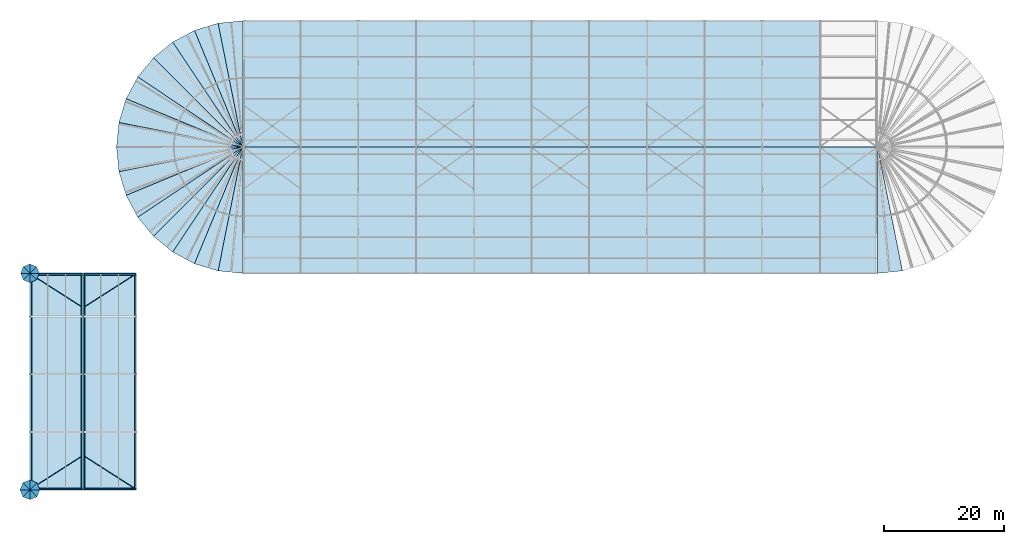
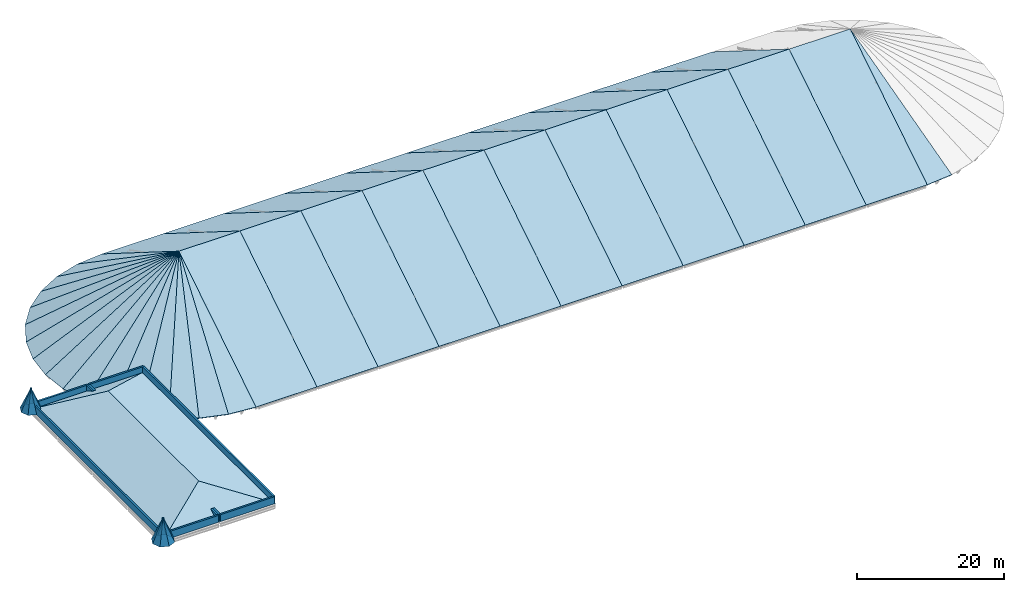
# One storey, part 64 of 66: 58 roofs, 8 walls.
"""IFC4 building model written with IfcOpenShell, lengths in metres."""

from ifc_helpers import new_model, si_unit, direction, frame, frame_2d, origin, place, context, subcontext, project, spatial, polyline, rectangle, outline, extrude, material, layer, layer_set, type_object, element, save


model = new_model("IFC4")

# Units and contexts
model_context = context("Model", 3, precision=1e-05, world=origin(), true_north=direction((0.0, 1.0)))
body_context = subcontext(model_context, "Body", "Model", "MODEL_VIEW")
ifc_project = project(units=[si_unit("LENGTHUNIT", "METRE"), si_unit("AREAUNIT", "SQUARE_METRE"), si_unit("VOLUMEUNIT", "CUBIC_METRE"), si_unit("PLANEANGLEUNIT", "RADIAN"), si_unit("MASSUNIT", "GRAM", prefix="KILO")], contexts=[model_context])

# Site, building, storey
site_placement = place(None, origin())
site = spatial("IfcSite", under=ifc_project, at=site_placement, CompositionType="ELEMENT")
building_placement = place(site_placement, origin())
building = spatial("IfcBuilding", under=site, at=building_placement, Name="Yeouljin Market Hall", CompositionType="ELEMENT")
storey_placement = place(building_placement, frame((0.0, 0.0, 23.39990234375)))
storey = spatial("IfcBuildingStorey", under=building, at=storey_placement, Name="RF", CompositionType="ELEMENT", Elevation=23.39990234375)

# Walls
ifc_material_1 = material(Name="Clinker Brick Masonry F2-S2", Category="masonry")
ifc_layer_1 = layer(ifc_material_1, 0.280029296875)
ifc_layer_set_1 = layer_set([ifc_layer_1], Name="Clinker Brick Masonry F2-S2")
wall_type = type_object("IfcWallType", Name="Wall_Parapet_Clinker_280", PredefinedType="PARAPET", material=ifc_layer_set_1)
wall_1_placement = place(storey_placement, frame((0.139892578125, 0.139892578125, 0.010009765625), z_axis=(0.0, 0.0, 1.0), x_axis=(1.0, 0.0, 0.0)))
element("IfcWall", 1, at=wall_1_placement, inside=storey, type_object=wall_type, Name="Roof parapet RSLB-V2-TOP1-1", PredefinedType="PARAPET", context=body_context, shape_type="SweptSolid", body=[
    extrude(rectangle(XDim=8.570068359375, YDim=0.280029296875, at=frame_2d((4.28515625, 0.0))), origin(), (0.0, 0.0, 1.0), 1.150146484375),
])
wall_2_placement = place(storey_placement, frame((8.7099609375, 0.139892578125, 0.010009765625), z_axis=(0.0, 0.0, 1.0), x_axis=(0.0, 1.0, 0.0)))
element("IfcWall", 2, at=wall_2_placement, inside=storey, type_object=wall_type, Name="Roof parapet RSLB-V2-TOP1-2", PredefinedType="PARAPET", context=body_context, shape_type="SweptSolid", body=[
    extrude(rectangle(XDim=35.72021484375, YDim=0.280029296875, at=frame_2d((17.860107421875, 0.0))), origin(), (0.0, 0.0, 1.0), 1.150146484375),
])
wall_3_placement = place(storey_placement, frame((8.7099609375, 35.860107421875, 0.010009765625), z_axis=(0.0, 0.0, 1.0), x_axis=(-1.0, 0.0, 0.0)))
element("IfcWall", 3, at=wall_3_placement, inside=storey, type_object=wall_type, Name="Roof parapet RSLB-V2-TOP1-3", PredefinedType="PARAPET", context=body_context, shape_type="SweptSolid", body=[
    extrude(rectangle(XDim=8.570068359375, YDim=0.280029296875, at=frame_2d((4.28515625, 0.0))), origin(), (0.0, 0.0, 1.0), 1.150146484375),
])
wall_4_placement = place(storey_placement, frame((0.139892578125, 35.860107421875, 0.010009765625), z_axis=(0.0, 0.0, 1.0), x_axis=(0.0, -1.0, 0.0)))
element("IfcWall", 4, at=wall_4_placement, inside=storey, type_object=wall_type, Name="Roof parapet RSLB-V2-TOP1-4", PredefinedType="PARAPET", context=body_context, shape_type="SweptSolid", body=[
    extrude(rectangle(XDim=35.72021484375, YDim=0.280029296875, at=frame_2d((17.860107421875, 0.0))), origin(), (0.0, 0.0, 1.0), 1.150146484375),
])
wall_5_placement = place(storey_placement, frame((8.989990234375, 0.139892578125, 0.010009765625), z_axis=(0.0, 0.0, 1.0), x_axis=(1.0, 0.0, 0.0)))
element("IfcWall", 5, at=wall_5_placement, inside=storey, type_object=wall_type, Name="Roof parapet RSLB-V2-TOP2-1", PredefinedType="PARAPET", context=body_context, shape_type="SweptSolid", body=[
    extrude(rectangle(XDim=8.570068359375, YDim=0.280029296875, at=frame_2d((4.28515625, 0.0))), origin(), (0.0, 0.0, 1.0), 1.150146484375),
])
wall_6_placement = place(storey_placement, frame((17.56005859375, 0.139892578125, 0.010009765625), z_axis=(0.0, 0.0, 1.0), x_axis=(0.0, 1.0, 0.0)))
element("IfcWall", 6, at=wall_6_placement, inside=storey, type_object=wall_type, Name="Roof parapet RSLB-V2-TOP2-2", PredefinedType="PARAPET", context=body_context, shape_type="SweptSolid", body=[
    extrude(rectangle(XDim=35.72021484375, YDim=0.280029296875, at=frame_2d((17.860107421875, 0.0))), origin(), (0.0, 0.0, 1.0), 1.150146484375),
])
wall_7_placement = place(storey_placement, frame((17.56005859375, 35.860107421875, 0.010009765625), z_axis=(0.0, 0.0, 1.0), x_axis=(-1.0, 0.0, 0.0)))
element("IfcWall", 7, at=wall_7_placement, inside=storey, type_object=wall_type, Name="Roof parapet RSLB-V2-TOP2-3", PredefinedType="PARAPET", context=body_context, shape_type="SweptSolid", body=[
    extrude(rectangle(XDim=8.570068359375, YDim=0.280029296875, at=frame_2d((4.28515625, 0.0))), origin(), (0.0, 0.0, 1.0), 1.150146484375),
])
wall_8_placement = place(storey_placement, frame((8.989990234375, 35.860107421875, 0.010009765625), z_axis=(0.0, 0.0, 1.0), x_axis=(0.0, -1.0, 0.0)))
element("IfcWall", 8, at=wall_8_placement, inside=storey, type_object=wall_type, Name="Roof parapet RSLB-V2-TOP2-4", PredefinedType="PARAPET", context=body_context, shape_type="SweptSolid", body=[
    extrude(rectangle(XDim=35.72021484375, YDim=0.280029296875, at=frame_2d((17.860107421875, 0.0))), origin(), (0.0, 0.0, 1.0), 1.150146484375),
])

# Roofs
ifc_material_2 = material(Name="Standing Seam Patinated Copper")
ifc_layer_2 = layer(ifc_material_2, 0.219970703125)
ifc_layer_set_2 = layer_set([ifc_layer_2], Name="Standing Seam Patinated Copper")
roof_type_1 = type_object("IfcRoofType", Name="Roof_Amsterdam_Hipped", PredefinedType="HIP_ROOF", material=ifc_layer_set_2)
roof_1_placement = place(storey_placement, frame((0.0, 36.0, 0.050048828125), z_axis=(-0.354022625298, 0.0, 0.935236858115), x_axis=(0.0, -1.0, 0.0)))
element("IfcRoof", 9, at=roof_1_placement, inside=storey, type_object=roof_type_1, Name="West culinary conservatory hipped roof RF-V2-TOP-W", PredefinedType="HIP_ROOF", context=body_context, shape_type="SweptSolid", body=[
    extrude(outline(polyline([(0.0, 0.0), (36.0, 0.0), (30.3359375, 9.462947893313874), (5.6640625, 9.462947893313874), (0.0, 0.0)])), origin(), (0.0, 0.0, -1.0), 0.219970703125),
])
roof_2_placement = place(storey_placement, frame((17.699951171875, 0.0, 0.050048828125), z_axis=(0.354031167621, 0.0, 0.935233624477), x_axis=(0.0, 1.0, 0.0)))
element("IfcRoof", 10, at=roof_2_placement, inside=storey, type_object=roof_type_1, Name="West culinary conservatory hipped roof RF-V2-TOP-E", PredefinedType="HIP_ROOF", context=body_context, shape_type="SweptSolid", body=[
    extrude(outline(polyline([(0.0, 0.0), (36.0, 0.0), (30.3359375, 9.462719564397537), (5.6640625, 9.462719564397537), (0.0, 0.0)])), origin(), (0.0, 0.0, -1.0), 0.219970703125),
])
roof_3_placement = place(storey_placement, frame((0.0, 0.0, 0.050048828125), z_axis=(0.0, -0.509084245774, 0.86071669596), x_axis=(1.0, 0.0, 0.0)))
element("IfcRoof", 11, at=roof_3_placement, inside=storey, type_object=roof_type_1, Name="West culinary conservatory hipped roof RF-V2-TOP-S", PredefinedType="HIP_ROOF", context=body_context, shape_type="SweptSolid", body=[
    extrude(outline(polyline([(0.0, 0.0), (17.699951171875, 0.0), (8.85009765625, 6.580635099313591), (0.0, 0.0)])), origin(), (0.0, 0.0, -1.0), 0.219970703125),
])
roof_4_placement = place(storey_placement, frame((17.699951171875, 36.0, 0.050048828125), z_axis=(0.0, 0.509084245774, 0.86071669596), x_axis=(-1.0, 0.0, 0.0)))
element("IfcRoof", 12, at=roof_4_placement, inside=storey, type_object=roof_type_1, Name="West culinary conservatory hipped roof RF-V2-TOP-N", PredefinedType="HIP_ROOF", context=body_context, shape_type="SweptSolid", body=[
    extrude(outline(polyline([(0.0, 0.0), (17.699951171875, 0.0), (8.849853515625, 6.580635099313591), (0.0, 0.0)])), origin(), (0.0, 0.0, -1.0), 0.219970703125),
])
ifc_material_3 = material(Name="Patinated Copper Conical Roof Assembly")
ifc_layer_3 = layer(ifc_material_3, 0.219970703125)
ifc_layer_set_3 = layer_set([ifc_layer_3], Name="Patinated Copper Conical Roof Assembly")
roof_type_2 = type_object("IfcRoofType", Name="Roof_Copper_ApseCone", PredefinedType="PAVILION_ROOF", material=ifc_layer_set_3)
roof_5_placement = place(storey_placement, frame((35.39990234375, 57.0, 1.2001953125), z_axis=(-0.052349840343, -0.53144747175, 0.845472104203), x_axis=(-0.165171272296, -0.83036434329, -0.532178079407)))
element("IfcRoof", 13, at=roof_5_placement, inside=storey, type_object=roof_type_2, Name="Apse conical copper roof west 01", PredefinedType="PAVILION_ROOF", context=body_context, shape_type="SweptSolid", body=[
    extrude(outline(polyline([(0.0, 0.0), (24.80409438738253, 2.220446049250313e-16), (24.46250579828373, 4.102556076043566), (0.0, 0.0)])), origin(), (0.0, 0.0, -1.0), 0.219970703125),
])
roof_6_placement = place(storey_placement, frame((35.39990234375, 57.0, 1.2001953125), z_axis=(-0.154994045514, -0.511030633104, 0.845472966974), x_axis=(-0.323991878396, -0.782188856344, -0.532174647785)))
element("IfcRoof", 14, at=roof_6_placement, inside=storey, type_object=roof_type_2, Name="Apse conical copper roof west 02", PredefinedType="PAVILION_ROOF", context=body_context, shape_type="SweptSolid", body=[
    extrude(outline(polyline([(0.0, 0.0), (24.804254331636216, -1.1102230246251565e-15), (24.462481703009527, 4.102448940341051), (0.0, 0.0)])), origin(), (0.0, 0.0, -1.0), 0.219970703125),
])
roof_7_placement = place(storey_placement, frame((35.39990234375, 57.0, 1.2001953125), z_axis=(-0.251740974705, -0.470957357509, 0.845473624108), x_axis=(-0.470363627109, -0.703950920961, -0.532175872406)))
element("IfcRoof", 15, at=roof_7_placement, inside=storey, type_object=roof_type_2, Name="Apse conical copper roof west 03", PredefinedType="PAVILION_ROOF", context=body_context, shape_type="SweptSolid", body=[
    extrude(outline(polyline([(0.0, 0.0), (24.80419725309084, 1.3322676295501878e-15), (24.46262703140429, 4.102549411146949), (0.0, 0.0)])), origin(), (0.0, 0.0, -1.0), 0.219970703125),
])
roof_8_placement = place(storey_placement, frame((35.39990234375, 57.0, 1.2001953125), z_axis=(-0.33880280716, -0.412783304218, 0.845471821895), x_axis=(-0.598658551349, -0.598658551349, -0.532180305717)))
element("IfcRoof", 16, at=roof_8_placement, inside=storey, type_object=roof_type_2, Name="Apse conical copper roof west 04", PredefinedType="PAVILION_ROOF", context=body_context, shape_type="SweptSolid", body=[
    extrude(outline(polyline([(0.0, 0.0), (24.803990622515755, -9.992007221626409e-16), (24.462568167449515, 4.10255530409098), (0.0, 0.0)])), origin(), (0.0, 0.0, -1.0), 0.219970703125),
])
roof_9_placement = place(storey_placement, frame((35.39990234375, 57.0, 1.2001953125), z_axis=(-0.412800167152, -0.338784976832, 0.845470733658), x_axis=(-0.703945955721, -0.47036688617, -0.532179559752)))
element("IfcRoof", 17, at=roof_9_placement, inside=storey, type_object=roof_type_2, Name="Apse conical copper roof west 05", PredefinedType="PAVILION_ROOF", context=body_context, shape_type="SweptSolid", body=[
    extrude(outline(polyline([(0.0, 0.0), (24.804025390679136, 1.887379141862766e-15), (24.462387721243672, 4.102381963859074), (0.0, 0.0)])), origin(), (0.0, 0.0, -1.0), 0.219970703125),
])
roof_10_placement = place(storey_placement, frame((35.39990234375, 57.0, 1.2001953125), z_axis=(-0.47096082588, -0.251742828654, 0.84547114008), x_axis=(-0.782185035558, -0.323994372772, -0.532178744936)))
element("IfcRoof", 18, at=roof_10_placement, inside=storey, type_object=roof_type_2, Name="Apse conical copper roof west 06", PredefinedType="PAVILION_ROOF", context=body_context, shape_type="SweptSolid", body=[
    extrude(outline(polyline([(0.0, 0.0), (24.804063368026362, 6.661338147750939e-16), (24.462396246406566, 4.102541342296165), (0.0, 0.0)])), origin(), (0.0, 0.0, -1.0), 0.219970703125),
])
roof_11_placement = place(storey_placement, frame((35.39990234375, 57.0, 1.2001953125), z_axis=(-0.511023877532, -0.155023666368, 0.845471619546), x_axis=(-0.83036434329, -0.165171272296, -0.532178079407)))
element("IfcRoof", 19, at=roof_11_placement, inside=storey, type_object=roof_type_2, Name="Apse conical copper roof west 07", PredefinedType="PAVILION_ROOF", context=body_context, shape_type="SweptSolid", body=[
    extrude(outline(polyline([(0.0, 0.0), (24.80409438738253, 0.0), (24.462436718772235, 4.102529627575076), (0.0, 0.0)])), origin(), (0.0, 0.0, -1.0), 0.219970703125),
])
roof_12_placement = place(storey_placement, frame((35.39990234375, 57.0, 1.2001953125), z_axis=(-0.53144747175, -0.052349840343, 0.845472104203), x_axis=(-0.846633001429, 0.0, -0.532177189375)))
element("IfcRoof", 20, at=roof_12_placement, inside=storey, type_object=roof_type_2, Name="Apse conical copper roof west 08", PredefinedType="PAVILION_ROOF", context=body_context, shape_type="SweptSolid", body=[
    extrude(outline(polyline([(0.0, 0.0), (24.80413587061938, -2.220446049250313e-16), (24.462464886400028, 4.102549214796461), (0.0, 0.0)])), origin(), (0.0, 0.0, -1.0), 0.219970703125),
])
roof_13_placement = place(storey_placement, frame((35.39990234375, 57.0, 1.2001953125), z_axis=(-0.53144747175, 0.052349840343, 0.845472104203), x_axis=(-0.83036434329, 0.165171272296, -0.532178079407)))
element("IfcRoof", 21, at=roof_13_placement, inside=storey, type_object=roof_type_2, Name="Apse conical copper roof west 09", PredefinedType="PAVILION_ROOF", context=body_context, shape_type="SweptSolid", body=[
    extrude(outline(polyline([(0.0, 0.0), (24.80409438738253, 2.220446049250313e-16), (24.46250579828373, 4.102556076043566), (0.0, 0.0)])), origin(), (0.0, 0.0, -1.0), 0.219970703125),
])
roof_14_placement = place(storey_placement, frame((35.39990234375, 57.0, 1.2001953125), z_axis=(-0.511023877532, 0.155023666368, 0.845471619546), x_axis=(-0.782185035558, 0.323994372772, -0.532178744936)))
element("IfcRoof", 22, at=roof_14_placement, inside=storey, type_object=roof_type_2, Name="Apse conical copper roof west 10", PredefinedType="PAVILION_ROOF", context=body_context, shape_type="SweptSolid", body=[
    extrude(outline(polyline([(0.0, 0.0), (24.804063368026362, -5.551115123125783e-16), (24.46246731089845, 4.102534758098483), (0.0, 0.0)])), origin(), (0.0, 0.0, -1.0), 0.219970703125),
])
roof_15_placement = place(storey_placement, frame((35.39990234375, 57.0, 1.2001953125), z_axis=(-0.47096082588, 0.251742828654, 0.84547114008), x_axis=(-0.703945955721, 0.47036688617, -0.532179559752)))
element("IfcRoof", 23, at=roof_15_placement, inside=storey, type_object=roof_type_2, Name="Apse conical copper roof west 11", PredefinedType="PAVILION_ROOF", context=body_context, shape_type="SweptSolid", body=[
    extrude(outline(polyline([(0.0, 0.0), (24.804025390679136, -2.9976021664879227e-15), (24.46243370068673, 4.1025476236813265), (0.0, 0.0)])), origin(), (0.0, 0.0, -1.0), 0.219970703125),
])
roof_16_placement = place(storey_placement, frame((35.39990234375, 57.0, 1.2001953125), z_axis=(-0.412800167152, 0.338784976832, 0.845470733658), x_axis=(-0.598658551349, 0.598658551349, -0.532180305717)))
element("IfcRoof", 24, at=roof_16_placement, inside=storey, type_object=roof_type_2, Name="Apse conical copper roof west 12", PredefinedType="PAVILION_ROOF", context=body_context, shape_type="SweptSolid", body=[
    extrude(outline(polyline([(0.0, 0.0), (24.803990622515755, 9.992007221626409e-16), (24.462422010576628, 4.102387714235637), (0.0, 0.0)])), origin(), (0.0, 0.0, -1.0), 0.219970703125),
])
roof_17_placement = place(storey_placement, frame((35.39990234375, 57.0, 1.2001953125), z_axis=(-0.33880280716, 0.412783304218, 0.845471821895), x_axis=(-0.470363627109, 0.703950920961, -0.532175872406)))
element("IfcRoof", 25, at=roof_17_placement, inside=storey, type_object=roof_type_2, Name="Apse conical copper roof west 13", PredefinedType="PAVILION_ROOF", context=body_context, shape_type="SweptSolid", body=[
    extrude(outline(polyline([(0.0, 0.0), (24.80419725309084, -2.220446049250313e-15), (24.46236438280464, 4.102521127884703), (0.0, 0.0)])), origin(), (0.0, 0.0, -1.0), 0.219970703125),
])
roof_18_placement = place(storey_placement, frame((35.39990234375, 57.0, 1.2001953125), z_axis=(-0.251740974705, 0.470957357509, 0.845473624108), x_axis=(-0.323991878396, 0.782188856344, -0.532174647785)))
element("IfcRoof", 26, at=roof_18_placement, inside=storey, type_object=roof_type_2, Name="Apse conical copper roof west 14", PredefinedType="PAVILION_ROOF", context=body_context, shape_type="SweptSolid", body=[
    extrude(outline(polyline([(0.0, 0.0), (24.804254331636216, 0.0), (24.46257073899782, 4.102539970526417), (0.0, 0.0)])), origin(), (0.0, 0.0, -1.0), 0.219970703125),
])
roof_19_placement = place(storey_placement, frame((35.39990234375, 57.0, 1.2001953125), z_axis=(-0.154994045514, 0.511030633104, 0.845472966974), x_axis=(-0.165171272296, 0.83036434329, -0.532178079407)))
element("IfcRoof", 27, at=roof_19_placement, inside=storey, type_object=roof_type_2, Name="Apse conical copper roof west 15", PredefinedType="PAVILION_ROOF", context=body_context, shape_type="SweptSolid", body=[
    extrude(outline(polyline([(0.0, 0.0), (24.80409438738253, 0.0), (24.462639444441983, 4.102475394164513), (0.0, 0.0)])), origin(), (0.0, 0.0, -1.0), 0.219970703125),
])
for number, where, z_axis, x_axis, name in (
    (28, (35.39990234375, 57.0, 1.2001953125), (-0.052349840343, 0.53144747175, 0.845472104203), (0.0, 0.846633001429, -0.532177189375), "Apse conical copper roof west 16"),
    (29, (141.0, 57.0, 1.2001953125), (0.052349840343, -0.53144747175, 0.845472104203), (0.0, -0.846633001429, -0.532177189375), "Apse conical copper roof east 01"),
):
    element("IfcRoof", number, at=place(storey_placement, frame(where, z_axis=z_axis, x_axis=x_axis)), inside=storey, type_object=roof_type_2, Name=name, PredefinedType="PAVILION_ROOF", context=body_context, shape_type="SweptSolid", body=[
        extrude(outline(polyline([(0.0, 0.0), (24.80413587061938, -2.220446049250313e-16), (24.462464886400028, 4.102549214796461), (0.0, 0.0)])), origin(), (0.0, 0.0, -1.0), 0.219970703125),
    ])
ifc_material_4 = material(Name="Patinated Copper Insulated Roof Assembly")
ifc_layer_4 = layer(ifc_material_4, 0.219970703125)
ifc_layer_set_4 = layer_set([ifc_layer_4], Name="Patinated Copper Insulated Roof Assembly")
roof_type_3 = type_object("IfcRoofType", Name="Roof_Copper_Gable", PredefinedType="GABLE_ROOF", material=ifc_layer_set_4)
for number, where, z_axis, x_axis, name in (
    (30, (35.39990234375, 36.0, -12.0), (0.0, -0.532177189375, 0.846633001429), (1.0, 0.0, 0.0), "Nave pitched copper roof bay S01"),
    (31, (45.0, 78.0, -12.0), (0.0, 0.532177189375, 0.846633001429), (-1.0, 0.0, 0.0), "Nave pitched copper roof bay N01"),
    (32, (45.0, 36.0, -12.0), (0.0, -0.532177189375, 0.846633001429), (1.0, 0.0, 0.0), "Nave pitched copper roof bay S02"),
    (33, (54.60009765625, 78.0, -12.0), (0.0, 0.532177189375, 0.846633001429), (-1.0, 0.0, 0.0), "Nave pitched copper roof bay N02"),
):
    element("IfcRoof", number, at=place(storey_placement, frame(where, z_axis=z_axis, x_axis=x_axis)), inside=storey, type_object=roof_type_3, Name=name, PredefinedType="GABLE_ROOF", context=body_context, shape_type="SweptSolid", body=[
        extrude(outline(polyline([(0.0, 0.0), (9.60009765625, 0.0), (9.60009765625, 24.80413587061938), (0.0, 24.80413587061938), (0.0, 0.0)])), origin(), (0.0, 0.0, -1.0), 0.219970703125),
    ])
for number, where, z_axis, x_axis, name in (
    (34, (54.60009765625, 36.0, -12.0), (0.0, -0.532177189375, 0.846633001429), (1.0, 0.0, 0.0), "Nave pitched copper roof bay S03"),
    (35, (64.199951171875, 78.0, -12.0), (0.0, 0.532177189375, 0.846633001429), (-1.0, 0.0, 0.0), "Nave pitched copper roof bay N03"),
):
    element("IfcRoof", number, at=place(storey_placement, frame(where, z_axis=z_axis, x_axis=x_axis)), inside=storey, type_object=roof_type_3, Name=name, PredefinedType="GABLE_ROOF", context=body_context, shape_type="SweptSolid", body=[
        extrude(outline(polyline([(0.0, 0.0), (9.599853515625, 0.0), (9.599853515625, 24.80413587061938), (0.0, 24.80413587061938), (0.0, 0.0)])), origin(), (0.0, 0.0, -1.0), 0.219970703125),
    ])
for number, where, z_axis, x_axis, name in (
    (36, (64.199951171875, 36.0, -12.0), (0.0, -0.532177189375, 0.846633001429), (1.0, 0.0, 0.0), "Nave pitched copper roof bay S04"),
    (37, (73.800048828125, 78.0, -12.0), (0.0, 0.532177189375, 0.846633001429), (-1.0, 0.0, 0.0), "Nave pitched copper roof bay N04"),
):
    element("IfcRoof", number, at=place(storey_placement, frame(where, z_axis=z_axis, x_axis=x_axis)), inside=storey, type_object=roof_type_3, Name=name, PredefinedType="GABLE_ROOF", context=body_context, shape_type="SweptSolid", body=[
        extrude(outline(polyline([(0.0, 0.0), (9.60009765625, 0.0), (9.60009765625, 24.80413587061938), (0.0, 24.80413587061938), (0.0, 0.0)])), origin(), (0.0, 0.0, -1.0), 0.219970703125),
    ])
for number, where, z_axis, x_axis, name in (
    (38, (73.800048828125, 36.0, -12.0), (0.0, -0.532177189375, 0.846633001429), (1.0, 0.0, 0.0), "Nave pitched copper roof bay S05"),
    (39, (83.39990234375, 78.0, -12.0), (0.0, 0.532177189375, 0.846633001429), (-1.0, 0.0, 0.0), "Nave pitched copper roof bay N05"),
):
    element("IfcRoof", number, at=place(storey_placement, frame(where, z_axis=z_axis, x_axis=x_axis)), inside=storey, type_object=roof_type_3, Name=name, PredefinedType="GABLE_ROOF", context=body_context, shape_type="SweptSolid", body=[
        extrude(outline(polyline([(0.0, 0.0), (9.599853515625, 0.0), (9.599853515625, 24.80413587061938), (0.0, 24.80413587061938), (0.0, 0.0)])), origin(), (0.0, 0.0, -1.0), 0.219970703125),
    ])
for number, where, z_axis, x_axis, name in (
    (40, (83.39990234375, 36.0, -12.0), (0.0, -0.532177189375, 0.846633001429), (1.0, 0.0, 0.0), "Nave pitched copper roof bay S06"),
    (41, (93.0, 78.0, -12.0), (0.0, 0.532177189375, 0.846633001429), (-1.0, 0.0, 0.0), "Nave pitched copper roof bay N06"),
    (42, (93.0, 36.0, -12.0), (0.0, -0.532177189375, 0.846633001429), (1.0, 0.0, 0.0), "Nave pitched copper roof bay S07"),
    (43, (102.60009765625, 78.0, -12.0), (0.0, 0.532177189375, 0.846633001429), (-1.0, 0.0, 0.0), "Nave pitched copper roof bay N07"),
):
    element("IfcRoof", number, at=place(storey_placement, frame(where, z_axis=z_axis, x_axis=x_axis)), inside=storey, type_object=roof_type_3, Name=name, PredefinedType="GABLE_ROOF", context=body_context, shape_type="SweptSolid", body=[
        extrude(outline(polyline([(0.0, 0.0), (9.60009765625, 0.0), (9.60009765625, 24.80413587061938), (0.0, 24.80413587061938), (0.0, 0.0)])), origin(), (0.0, 0.0, -1.0), 0.219970703125),
    ])
for number, where, z_axis, x_axis, name in (
    (44, (102.60009765625, 36.0, -12.0), (0.0, -0.532177189375, 0.846633001429), (1.0, 0.0, 0.0), "Nave pitched copper roof bay S08"),
    (45, (112.199951171875, 78.0, -12.0), (0.0, 0.532177189375, 0.846633001429), (-1.0, 0.0, 0.0), "Nave pitched copper roof bay N08"),
):
    element("IfcRoof", number, at=place(storey_placement, frame(where, z_axis=z_axis, x_axis=x_axis)), inside=storey, type_object=roof_type_3, Name=name, PredefinedType="GABLE_ROOF", context=body_context, shape_type="SweptSolid", body=[
        extrude(outline(polyline([(0.0, 0.0), (9.599853515625, 0.0), (9.599853515625, 24.80413587061938), (0.0, 24.80413587061938), (0.0, 0.0)])), origin(), (0.0, 0.0, -1.0), 0.219970703125),
    ])
for number, where, z_axis, x_axis, name in (
    (46, (112.199951171875, 36.0, -12.0), (0.0, -0.532177189375, 0.846633001429), (1.0, 0.0, 0.0), "Nave pitched copper roof bay S09"),
    (47, (121.800048828125, 78.0, -12.0), (0.0, 0.532177189375, 0.846633001429), (-1.0, 0.0, 0.0), "Nave pitched copper roof bay N09"),
):
    element("IfcRoof", number, at=place(storey_placement, frame(where, z_axis=z_axis, x_axis=x_axis)), inside=storey, type_object=roof_type_3, Name=name, PredefinedType="GABLE_ROOF", context=body_context, shape_type="SweptSolid", body=[
        extrude(outline(polyline([(0.0, 0.0), (9.60009765625, 0.0), (9.60009765625, 24.80413587061938), (0.0, 24.80413587061938), (0.0, 0.0)])), origin(), (0.0, 0.0, -1.0), 0.219970703125),
    ])
for number, where, z_axis, x_axis, name in (
    (48, (121.800048828125, 36.0, -12.0), (0.0, -0.532177189375, 0.846633001429), (1.0, 0.0, 0.0), "Nave pitched copper roof bay S10"),
    (49, (131.39990234375, 78.0, -12.0), (0.0, 0.532177189375, 0.846633001429), (-1.0, 0.0, 0.0), "Nave pitched copper roof bay N10"),
):
    element("IfcRoof", number, at=place(storey_placement, frame(where, z_axis=z_axis, x_axis=x_axis)), inside=storey, type_object=roof_type_3, Name=name, PredefinedType="GABLE_ROOF", context=body_context, shape_type="SweptSolid", body=[
        extrude(outline(polyline([(0.0, 0.0), (9.599853515625, 0.0), (9.599853515625, 24.80413587061938), (0.0, 24.80413587061938), (0.0, 0.0)])), origin(), (0.0, 0.0, -1.0), 0.219970703125),
    ])
roof_20_placement = place(storey_placement, frame((131.39990234375, 36.0, -12.0), z_axis=(0.0, -0.532177189375, 0.846633001429), x_axis=(1.0, 0.0, 0.0)))
element("IfcRoof", 50, at=roof_20_placement, inside=storey, type_object=roof_type_3, Name="Nave pitched copper roof bay S11", PredefinedType="GABLE_ROOF", context=body_context, shape_type="SweptSolid", body=[
    extrude(outline(polyline([(0.0, 0.0), (9.60009765625, 0.0), (9.60009765625, 24.80413587061938), (0.0, 24.80413587061938), (0.0, 0.0)])), origin(), (0.0, 0.0, -1.0), 0.219970703125),
])
ifc_material_5 = material(Name="Standing Seam Patinated Copper")
ifc_layer_5 = layer(ifc_material_5, 0.199951171875)
ifc_layer_set_5 = layer_set([ifc_layer_5], Name="Standing Seam Patinated Copper")
roof_type_4 = type_object("IfcRoofType", Name="Roof_Turret_Pavilion", PredefinedType="PAVILION_ROOF", material=ifc_layer_set_5)
roof_21_placement = place(storey_placement, frame((0.0, 0.0, 3.85009765625), z_axis=(0.857495063209, 0.355091594495, 0.372306561977), x_axis=(0.398260602484, 0.0, -0.91727231099)))
element("IfcRoof", 51, at=roof_21_placement, inside=storey, type_object=roof_type_4, Name="Corner turret roof facet SW-MAIN-1", PredefinedType="PAVILION_ROOF", context=body_context, shape_type="SweptSolid", body=[
    extrude(outline(polyline([(0.0, 0.0), (4.142770671911002, -1.1102230246251565e-16), (3.950349350544635, 1.2480837770594664), (0.0, 0.0)])), origin(), (0.0, 0.0, -1.0), 0.179931640625),
])
roof_22_placement = place(storey_placement, frame((0.0, 0.0, 3.85009765625), z_axis=(0.355091594495, 0.857495063209, 0.372306561977), x_axis=(0.281631236261, 0.281631236261, -0.91726097351)))
element("IfcRoof", 52, at=roof_22_placement, inside=storey, type_object=roof_type_4, Name="Corner turret roof facet SW-MAIN-2", PredefinedType="PAVILION_ROOF", context=body_context, shape_type="SweptSolid", body=[
    extrude(outline(polyline([(0.0, 0.0), (4.142821877163854, 1.1102230246251565e-16), (3.950300524251024, 1.248068350751679), (0.0, 0.0)])), origin(), (0.0, 0.0, -1.0), 0.179931640625),
])
roof_23_placement = place(storey_placement, frame((0.0, 0.0, 3.85009765625), z_axis=(-0.355091594495, 0.857495063209, 0.372306561977), x_axis=(0.0, 0.398260602484, -0.91727231099)))
element("IfcRoof", 53, at=roof_23_placement, inside=storey, type_object=roof_type_4, Name="Corner turret roof facet SW-MAIN-3", PredefinedType="PAVILION_ROOF", context=body_context, shape_type="SweptSolid", body=[
    extrude(outline(polyline([(0.0, 0.0), (4.142770671911002, -1.1102230246251565e-16), (3.950349350544635, 1.2480837770594664), (0.0, 0.0)])), origin(), (0.0, 0.0, -1.0), 0.179931640625),
])
roof_24_placement = place(storey_placement, frame((0.0, 0.0, 3.85009765625), z_axis=(-0.857495063209, 0.355091594495, 0.372306561977), x_axis=(-0.281631236261, 0.281631236261, -0.91726097351)))
element("IfcRoof", 54, at=roof_24_placement, inside=storey, type_object=roof_type_4, Name="Corner turret roof facet SW-MAIN-4", PredefinedType="PAVILION_ROOF", context=body_context, shape_type="SweptSolid", body=[
    extrude(outline(polyline([(0.0, 0.0), (4.142821877163854, 1.1102230246251565e-16), (3.950300524251024, 1.248068350751679), (0.0, 0.0)])), origin(), (0.0, 0.0, -1.0), 0.179931640625),
])
roof_25_placement = place(storey_placement, frame((0.0, 0.0, 3.85009765625), z_axis=(-0.857495063209, -0.355091594495, 0.372306561977), x_axis=(-0.398260602484, 0.0, -0.91727231099)))
element("IfcRoof", 55, at=roof_25_placement, inside=storey, type_object=roof_type_4, Name="Corner turret roof facet SW-MAIN-5", PredefinedType="PAVILION_ROOF", context=body_context, shape_type="SweptSolid", body=[
    extrude(outline(polyline([(0.0, 0.0), (4.142770671911002, -1.1102230246251565e-16), (3.950349350544635, 1.2480837770594664), (0.0, 0.0)])), origin(), (0.0, 0.0, -1.0), 0.179931640625),
])
roof_26_placement = place(storey_placement, frame((0.0, 0.0, 3.85009765625), z_axis=(-0.355091594495, -0.857495063209, 0.372306561977), x_axis=(-0.281631236261, -0.281631236261, -0.91726097351)))
element("IfcRoof", 56, at=roof_26_placement, inside=storey, type_object=roof_type_4, Name="Corner turret roof facet SW-MAIN-6", PredefinedType="PAVILION_ROOF", context=body_context, shape_type="SweptSolid", body=[
    extrude(outline(polyline([(0.0, 0.0), (4.142821877163854, 1.1102230246251565e-16), (3.950300524251024, 1.248068350751679), (0.0, 0.0)])), origin(), (0.0, 0.0, -1.0), 0.179931640625),
])
roof_27_placement = place(storey_placement, frame((0.0, 0.0, 3.85009765625), z_axis=(0.355091594495, -0.857495063209, 0.372306561977), x_axis=(0.0, -0.398260602484, -0.91727231099)))
element("IfcRoof", 57, at=roof_27_placement, inside=storey, type_object=roof_type_4, Name="Corner turret roof facet SW-MAIN-7", PredefinedType="PAVILION_ROOF", context=body_context, shape_type="SweptSolid", body=[
    extrude(outline(polyline([(0.0, 0.0), (4.142770671911002, -1.1102230246251565e-16), (3.950349350544635, 1.2480837770594664), (0.0, 0.0)])), origin(), (0.0, 0.0, -1.0), 0.179931640625),
])
roof_28_placement = place(storey_placement, frame((0.0, 0.0, 3.85009765625), z_axis=(0.857495063209, -0.355091594495, 0.372306561977), x_axis=(0.281631236261, -0.281631236261, -0.91726097351)))
element("IfcRoof", 58, at=roof_28_placement, inside=storey, type_object=roof_type_4, Name="Corner turret roof facet SW-MAIN-8", PredefinedType="PAVILION_ROOF", context=body_context, shape_type="SweptSolid", body=[
    extrude(outline(polyline([(0.0, 0.0), (4.142821877163854, 1.1102230246251565e-16), (3.950300524251024, 1.248068350751679), (0.0, 0.0)])), origin(), (0.0, 0.0, -1.0), 0.179931640625),
])
roof_29_placement = place(storey_placement, frame((0.0, 36.0, 3.650146484375), z_axis=(0.858420500474, 0.355683254819, 0.369599332531), x_axis=(0.395459809826, 0.0, -0.918483281727)))
element("IfcRoof", 59, at=roof_29_placement, inside=storey, type_object=roof_type_4, Name="Corner turret roof facet NW-V2-1", PredefinedType="PAVILION_ROOF", context=body_context, shape_type="SweptSolid", body=[
    extrude(outline(polyline([(0.0, 0.0), (3.919611524642261, 0.0), (3.740032607094533, 1.172629545281988), (0.0, 0.0)])), origin(), (0.0, 0.0, -1.0), 0.179931640625),
])
roof_30_placement = place(storey_placement, frame((0.0, 36.0, 3.650146484375), z_axis=(0.355683254819, 0.858420500474, 0.369599332531), x_axis=(0.279610193298, 0.279610193298, -0.918496749917)))
element("IfcRoof", 60, at=roof_30_placement, inside=storey, type_object=roof_type_4, Name="Corner turret roof facet NW-V2-2", PredefinedType="PAVILION_ROOF", context=body_context, shape_type="SweptSolid", body=[
    extrude(outline(polyline([(0.0, 0.0), (3.919554050220327, 2.220446049250313e-16), (3.7400874491019023, 1.172646740147627), (0.0, 0.0)])), origin(), (0.0, 0.0, -1.0), 0.179931640625),
])
roof_31_placement = place(storey_placement, frame((0.0, 36.0, 3.650146484375), z_axis=(-0.355683254819, 0.858420500474, 0.369599332531), x_axis=(0.0, 0.395459809826, -0.918483281727)))
element("IfcRoof", 61, at=roof_31_placement, inside=storey, type_object=roof_type_4, Name="Corner turret roof facet NW-V2-3", PredefinedType="PAVILION_ROOF", context=body_context, shape_type="SweptSolid", body=[
    extrude(outline(polyline([(0.0, 0.0), (3.919611524642261, 0.0), (3.740032607094533, 1.172629545281988), (0.0, 0.0)])), origin(), (0.0, 0.0, -1.0), 0.179931640625),
])
roof_32_placement = place(storey_placement, frame((0.0, 36.0, 3.650146484375), z_axis=(-0.858420500474, 0.355683254819, 0.369599332531), x_axis=(-0.279610193298, 0.279610193298, -0.918496749917)))
element("IfcRoof", 62, at=roof_32_placement, inside=storey, type_object=roof_type_4, Name="Corner turret roof facet NW-V2-4", PredefinedType="PAVILION_ROOF", context=body_context, shape_type="SweptSolid", body=[
    extrude(outline(polyline([(0.0, 0.0), (3.919554050220327, 2.220446049250313e-16), (3.7400874491019023, 1.172646740147627), (0.0, 0.0)])), origin(), (0.0, 0.0, -1.0), 0.179931640625),
])
roof_33_placement = place(storey_placement, frame((0.0, 36.0, 3.650146484375), z_axis=(-0.858420500474, -0.355683254819, 0.369599332531), x_axis=(-0.395459809826, 0.0, -0.918483281727)))
element("IfcRoof", 63, at=roof_33_placement, inside=storey, type_object=roof_type_4, Name="Corner turret roof facet NW-V2-5", PredefinedType="PAVILION_ROOF", context=body_context, shape_type="SweptSolid", body=[
    extrude(outline(polyline([(0.0, 0.0), (3.919611524642261, 0.0), (3.740032607094533, 1.172629545281988), (0.0, 0.0)])), origin(), (0.0, 0.0, -1.0), 0.179931640625),
])
roof_34_placement = place(storey_placement, frame((0.0, 36.0, 3.650146484375), z_axis=(-0.355683254819, -0.858420500474, 0.369599332531), x_axis=(-0.279610193298, -0.279610193298, -0.918496749917)))
element("IfcRoof", 64, at=roof_34_placement, inside=storey, type_object=roof_type_4, Name="Corner turret roof facet NW-V2-6", PredefinedType="PAVILION_ROOF", context=body_context, shape_type="SweptSolid", body=[
    extrude(outline(polyline([(0.0, 0.0), (3.919554050220327, 2.220446049250313e-16), (3.7400874491019023, 1.172646740147627), (0.0, 0.0)])), origin(), (0.0, 0.0, -1.0), 0.179931640625),
])
roof_35_placement = place(storey_placement, frame((0.0, 36.0, 3.650146484375), z_axis=(0.355683254819, -0.858420500474, 0.369599332531), x_axis=(0.0, -0.395459809826, -0.918483281727)))
element("IfcRoof", 65, at=roof_35_placement, inside=storey, type_object=roof_type_4, Name="Corner turret roof facet NW-V2-7", PredefinedType="PAVILION_ROOF", context=body_context, shape_type="SweptSolid", body=[
    extrude(outline(polyline([(0.0, 0.0), (3.919611524642261, 0.0), (3.740032607094533, 1.172629545281988), (0.0, 0.0)])), origin(), (0.0, 0.0, -1.0), 0.179931640625),
])
roof_36_placement = place(storey_placement, frame((0.0, 36.0, 3.650146484375), z_axis=(0.858420500474, -0.355683254819, 0.369599332531), x_axis=(0.279610193298, -0.279610193298, -0.918496749917)))
element("IfcRoof", 66, at=roof_36_placement, inside=storey, type_object=roof_type_4, Name="Corner turret roof facet NW-V2-8", PredefinedType="PAVILION_ROOF", context=body_context, shape_type="SweptSolid", body=[
    extrude(outline(polyline([(0.0, 0.0), (3.919554050220327, 2.220446049250313e-16), (3.7400874491019023, 1.172646740147627), (0.0, 0.0)])), origin(), (0.0, 0.0, -1.0), 0.179931640625),
])

save(model, "model.ifc")
